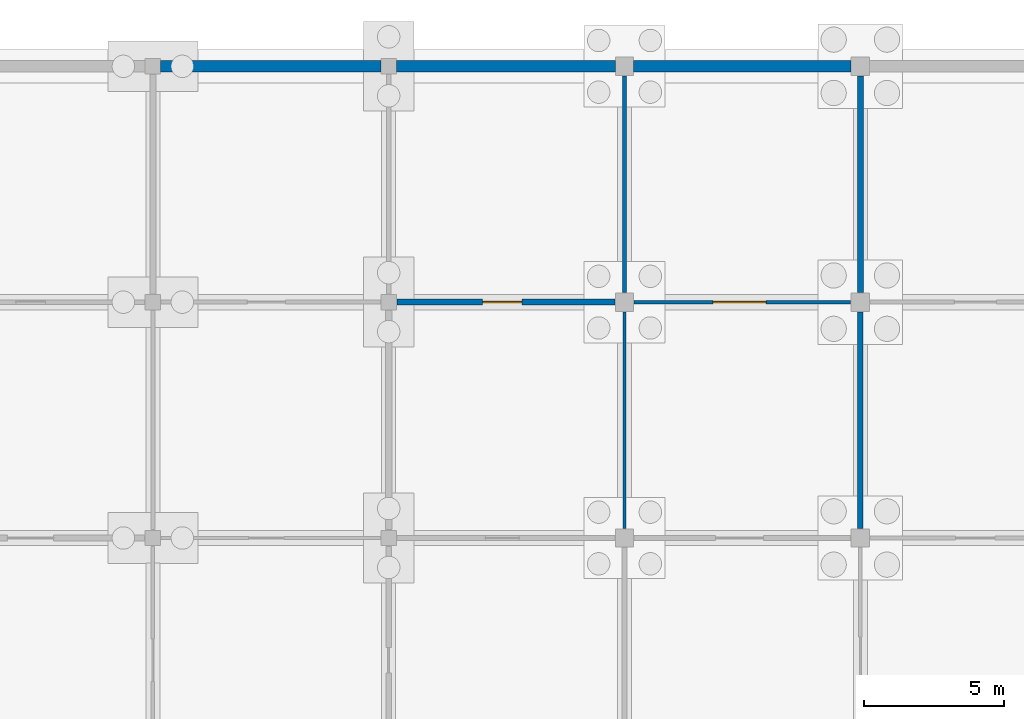
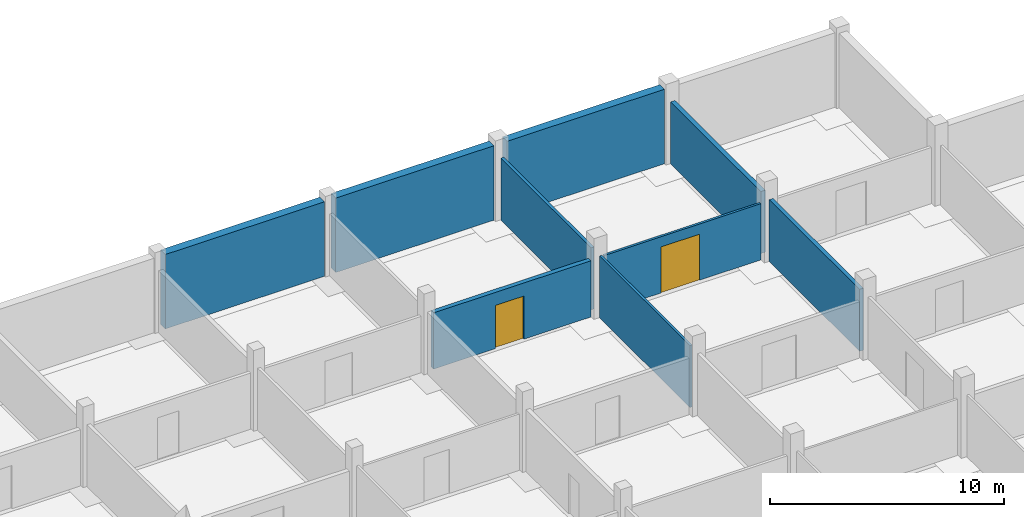
# One storey, part 31 of 43: 9 walls, 2 doors, 2 openings.
"""IFC4 building model written with IfcOpenShell, lengths in metres."""

from ifc_helpers import new_model, si_unit, direction, frame, frame_2d, origin, place, context, subcontext, project, spatial, rectangle, extrude, material, layer, layer_set, type_object, element, fill, save


model = new_model("IFC4")

# Units and contexts
model_context = context("Model", 3, precision=1e-05, world=origin(), true_north=direction((0.0, 1.0)))
body_context = subcontext(model_context, "Body", "Model", "MODEL_VIEW")
ifc_project = project(units=[si_unit("LENGTHUNIT", "METRE"), si_unit("AREAUNIT", "SQUARE_METRE"), si_unit("VOLUMEUNIT", "CUBIC_METRE"), si_unit("PLANEANGLEUNIT", "RADIAN"), si_unit("MASSUNIT", "GRAM", prefix="KILO")], contexts=[model_context])

# Site, building, storey
site_placement = place(None, origin())
site = spatial("IfcSite", under=ifc_project, at=site_placement, CompositionType="ELEMENT")
building_placement = place(site_placement, origin())
building = spatial("IfcBuilding", under=site, at=building_placement, Name="Varnapada Polytechnic", CompositionType="ELEMENT")
storey_placement = place(building_placement, frame((0.0, 0.0, -4.199951171875)))
storey = spatial("IfcBuildingStorey", under=building, at=storey_placement, Name="B1", CompositionType="ELEMENT", Elevation=-4.199951171875)

# Walls
ifc_material_1 = material(Name="Insulated Masonry Plant Room Wall", Category="masonry")
ifc_layer_1 = layer(ifc_material_1, 0.18994140625)
ifc_layer_set_1 = layer_set([ifc_layer_1], Name="Insulated Masonry Plant Room Wall")
wall_type_1 = type_object("IfcWallType", Name="Interior Wall IW-11", PredefinedType="PARTITIONING", material=ifc_layer_set_1)
wall_1_placement = place(storey_placement, frame((126.0, 109.544921875, 0.0), z_axis=(0.0, 0.0, 1.0), x_axis=(0.0, 1.0, 0.0)))
element("IfcWall", 1, at=wall_1_placement, inside=storey, type_object=wall_type_1, Name="B1 interior partition IW-B1-14-13-V", PredefinedType="PARTITIONING", context=body_context, shape_type="SweptSolid", body=[
    extrude(rectangle(XDim=7.7099609375, YDim=0.18994140625, at=frame_2d((3.85498046875, 0.0))), origin(), (0.0, 0.0, 1.0), 3.22998046875),
])
ifc_material_2 = material(Name="Timber-Stud Studio Critique Partition", Category="wood")
ifc_layer_2 = layer(ifc_material_2, 0.114990234375)
ifc_layer_set_2 = layer_set([ifc_layer_2], Name="Timber-Stud Studio Critique Partition")
wall_type_2 = type_object("IfcWallType", Name="Interior Wall IW-12", PredefinedType="PARTITIONING", material=ifc_layer_set_2)
wall_2_placement = place(storey_placement, frame((117.60009765625, 109.544921875, 0.0), z_axis=(0.0, 0.0, 1.0), x_axis=(0.0, 1.0, 0.0)))
element("IfcWall", 2, at=wall_2_placement, inside=storey, type_object=wall_type_2, Name="B1 interior partition IW-B1-13-13-V", PredefinedType="PARTITIONING", context=body_context, shape_type="SweptSolid", body=[
    extrude(rectangle(XDim=7.7099609375, YDim=0.114990234375, at=frame_2d((3.85498046875, 0.0))), origin(), (0.0, 0.0, 1.0), 3.22998046875),
])

# Wall, opening, door
wall_3_placement = place(storey_placement, frame((117.945068359375, 117.60009765625, 0.0), z_axis=(0.0, 0.0, 1.0), x_axis=(1.0, 0.0, 0.0)))
wall_3 = element("IfcWall", 3, at=wall_3_placement, inside=storey, type_object=wall_type_2, Name="B1 interior partition IW-B1-14-13-H", PredefinedType="PARTITIONING", context=body_context, shape_type="SweptSolid", body=[
    extrude(rectangle(XDim=7.7099609375, YDim=0.114990234375, at=frame_2d((3.85498046875, 0.0))), origin(), (0.0, 0.0, 1.0), 2.929931640625),
])
opening_1_placement = place(wall_3_placement, frame((2.800048828125, 0.0, 0.0)))
opening_1 = element("IfcOpeningElement", 4, at=opening_1_placement, cuts=wall_3, Name="Opening D-743", PredefinedType="OPENING", context=body_context, shape_type="SweptSolid", body=[
    extrude(rectangle(XDim=1.89990234375, YDim=2.39990234375, at=frame_2d((0.949951171875, 1.199951171875))), frame((0.0, 0.0673828125, 0.0), z_axis=(0.0, -1.0, 0.0), x_axis=(1.0, 0.0, 0.0)), (0.0, 0.0, 1.0), 0.135009765625),
])
ifc_material_3 = material(Name="Heavy Workshop Double Steel Door", Category="steel")
door_type_1 = type_object("IfcDoorType", Name="Interior Door ID-14", OperationType="NOTDEFINED", PredefinedType="DOOR", material=ifc_material_3)
door_1_placement = place(opening_1_placement, frame((1.89990234375, 0.0, 0.0), z_axis=(0.0, 0.0, 1.0), x_axis=(-1.0, 0.0, 0.0)))
door_1 = element("IfcDoor", 5, at=door_1_placement, inside=storey, type_object=door_type_1, Name="B1 interior room door D-743", OperationType="SINGLE_SWING_RIGHT", OverallHeight=2.39990234375, OverallWidth=1.89990234375, PredefinedType="DOOR", context=body_context, shape_type="SweptSolid", body=[
    extrude(rectangle(XDim=1.89990234375, YDim=2.39990234375, at=frame_2d((0.949951171875, 1.199951171875))), frame((0.0, 0.02490234375, 0.0), z_axis=(0.0, -1.0, 0.0), x_axis=(1.0, 0.0, 0.0)), (0.0, 0.0, 1.0), 0.050048828125),
])
fill(opening_1, door_1)

ifc_material_4 = material(Name="Heavy Acoustic Auditorium Baffle Wall")
ifc_layer_3 = layer(ifc_material_4, 0.219970703125)
ifc_layer_set_3 = layer_set([ifc_layer_3], Name="Heavy Acoustic Auditorium Baffle Wall")
wall_type_3 = type_object("IfcWallType", Name="Interior Wall IW-13", PredefinedType="PARTITIONING", material=ifc_layer_set_3)
wall_4_placement = place(storey_placement, frame((109.4951171875, 117.60009765625, 0.0), z_axis=(0.0, 0.0, 1.0), x_axis=(1.0, 0.0, 0.0)))
wall_4 = element("IfcWall", 6, at=wall_4_placement, inside=storey, type_object=wall_type_3, Name="B1 interior partition IW-B1-13-13-H", PredefinedType="PARTITIONING", context=body_context, shape_type="SweptSolid", body=[
    extrude(rectangle(XDim=7.759765625, YDim=0.219970703125, at=frame_2d((3.8798828125, 0.0))), origin(), (0.0, 0.0, 1.0), 2.929931640625),
])
opening_2_placement = place(wall_4_placement, frame((3.050048828125, 0.0, 0.0)))
opening_2 = element("IfcOpeningElement", 7, at=opening_2_placement, cuts=wall_4, Name="Opening D-735", PredefinedType="OPENING", context=body_context, shape_type="SweptSolid", body=[
    extrude(rectangle(XDim=1.39990234375, YDim=2.25, at=frame_2d((0.699951171875, 1.125))), frame((0.0, 0.119873046875, 0.0), z_axis=(0.0, -1.0, 0.0), x_axis=(1.0, 0.0, 0.0)), (0.0, 0.0, 1.0), 0.239990234375),
])
ifc_material_5 = material(Name="Powder-Coated Aluminium 6063-T6", Category="aluminium")
door_type_2 = type_object("IfcDoorType", Name="Interior Door ID-06", OperationType="NOTDEFINED", PredefinedType="DOOR", material=ifc_material_5)
door_2_placement = place(opening_2_placement, origin())
door_2 = element("IfcDoor", 8, at=door_2_placement, inside=storey, type_object=door_type_2, Name="B1 interior room door D-735", OperationType="SINGLE_SWING_RIGHT", OverallHeight=2.25, OverallWidth=1.39990234375, PredefinedType="DOOR", context=body_context, shape_type="SweptSolid", body=[
    extrude(rectangle(XDim=1.39990234375, YDim=2.25, at=frame_2d((0.699951171875, 1.125))), frame((0.0, 0.02490234375, 0.0), z_axis=(0.0, -1.0, 0.0), x_axis=(1.0, 0.0, 0.0)), (0.0, 0.0, 1.0), 0.050048828125),
])
fill(opening_2, door_2)

# Walls
wall_5_placement = place(storey_placement, frame((126.0, 117.945068359375, 0.0), z_axis=(0.0, 0.0, 1.0), x_axis=(0.0, 1.0, 0.0)))
element("IfcWall", 9, at=wall_5_placement, inside=storey, type_object=wall_type_3, Name="B1 interior partition IW-B1-14-14-V", PredefinedType="PARTITIONING", context=body_context, shape_type="SweptSolid", body=[
    extrude(rectangle(XDim=7.7099609375, YDim=0.219970703125, at=frame_2d((3.85498046875, 0.0))), origin(), (0.0, 0.0, 1.0), 3.22998046875),
])
ifc_material_6 = material(Name="Ceramic-Tiled Wet Laboratory Wall")
ifc_layer_4 = layer(ifc_material_6, 0.14501953125)
ifc_layer_set_4 = layer_set([ifc_layer_4], Name="Ceramic-Tiled Wet Laboratory Wall")
wall_type_4 = type_object("IfcWallType", Name="Interior Wall IW-14", PredefinedType="PARTITIONING", material=ifc_layer_set_4)
wall_6_placement = place(storey_placement, frame((117.60009765625, 117.945068359375, 0.0), z_axis=(0.0, 0.0, 1.0), x_axis=(0.0, 1.0, 0.0)))
element("IfcWall", 10, at=wall_6_placement, inside=storey, type_object=wall_type_4, Name="B1 interior partition IW-B1-13-14-V", PredefinedType="PARTITIONING", context=body_context, shape_type="SweptSolid", body=[
    extrude(rectangle(XDim=7.7099609375, YDim=0.14501953125, at=frame_2d((3.85498046875, 0.0))), origin(), (0.0, 0.0, 1.0), 3.22998046875),
])
ifc_material_7 = material(Name="Concrete C40/50", Category="concrete")
ifc_layer_5 = layer(ifc_material_7, 0.39990234375)
ifc_layer_set_5 = layer_set([ifc_layer_5], Name="Concrete C40/50")
wall_type_5 = type_object("IfcWallType", Name="Wall RW-01", PredefinedType="STANDARD", material=ifc_layer_set_5)
wall_7_placement = place(storey_placement, frame((101.074951171875, 126.0, 0.0), z_axis=(0.0, 0.0, 1.0), x_axis=(1.0, 0.0, 0.0)))
element("IfcWall", 11, at=wall_7_placement, inside=storey, type_object=wall_type_5, Name="B1 perimeter retaining wall 45", PredefinedType="STANDARD", context=body_context, shape_type="SweptSolid", body=[
    extrude(rectangle(XDim=7.85009765625, YDim=0.39990234375, at=frame_2d((3.925048828125, 0.0))), origin(), (0.0, 0.0, 1.0), 3.8798828125),
])
wall_8_placement = place(storey_placement, frame((109.47509765625, 126.0, 0.0), z_axis=(0.0, 0.0, 1.0), x_axis=(1.0, 0.0, 0.0)))
element("IfcWall", 12, at=wall_8_placement, inside=storey, type_object=wall_type_5, Name="B1 perimeter retaining wall 47", PredefinedType="STANDARD", context=body_context, shape_type="SweptSolid", body=[
    extrude(rectangle(XDim=7.7998046875, YDim=0.39990234375, at=frame_2d((3.89990234375, 0.0))), origin(), (0.0, 0.0, 1.0), 3.8798828125),
])
wall_9_placement = place(storey_placement, frame((117.925048828125, 126.0, 0.0), z_axis=(0.0, 0.0, 1.0), x_axis=(1.0, 0.0, 0.0)))
element("IfcWall", 13, at=wall_9_placement, inside=storey, type_object=wall_type_5, Name="B1 perimeter retaining wall 49", PredefinedType="STANDARD", context=body_context, shape_type="SweptSolid", body=[
    extrude(rectangle(XDim=7.75, YDim=0.39990234375, at=frame_2d((3.875, 0.0))), origin(), (0.0, 0.0, 1.0), 3.8798828125),
])

save(model, "model.ifc")
